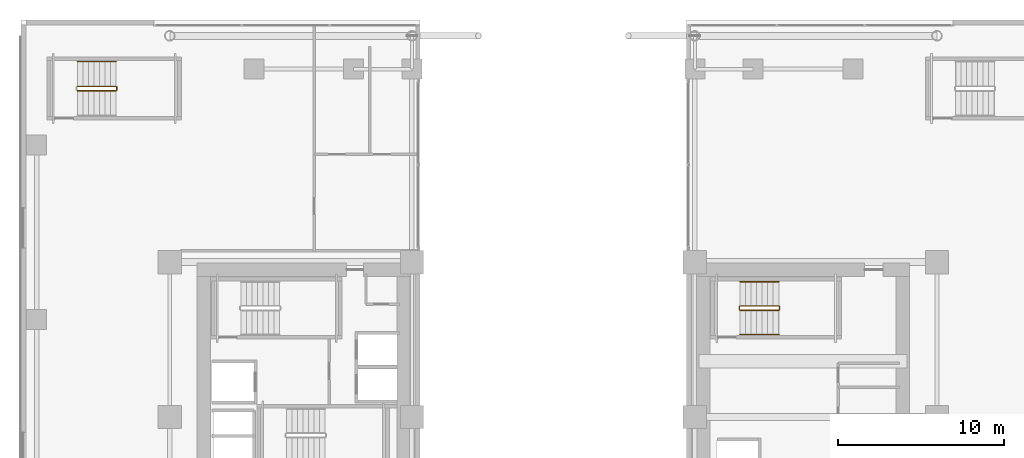
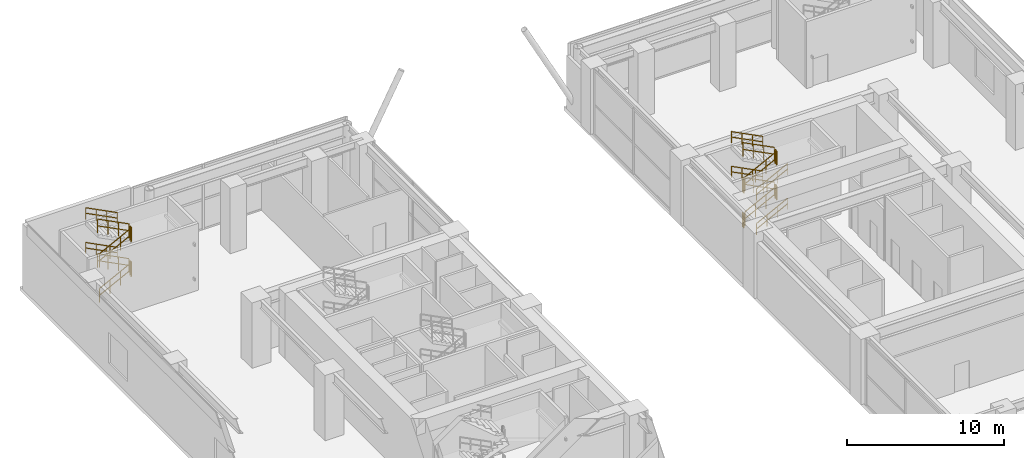
# One storey, part 27 of 29: 20 railings.
"""IFC4 building model written with IfcOpenShell, lengths in metres."""

from ifc_helpers import new_model, si_unit, direction, frame, origin, origin_2d, place, context, subcontext, project, spatial, rectangle, extrude, material, type_object, element, save


model = new_model("IFC4")

# Units and contexts
model_context = context("Model", 3, precision=1e-05, world=origin(), true_north=direction((0.0, 1.0)))
body_context = subcontext(model_context, "Body", "Model", "MODEL_VIEW")
ifc_project = project(units=[si_unit("LENGTHUNIT", "METRE"), si_unit("AREAUNIT", "SQUARE_METRE"), si_unit("VOLUMEUNIT", "CUBIC_METRE"), si_unit("PLANEANGLEUNIT", "RADIAN"), si_unit("MASSUNIT", "GRAM", prefix="KILO")], contexts=[model_context])

# Site, building, storey
site_placement = place(None, origin())
site = spatial("IfcSite", under=ifc_project, at=site_placement, CompositionType="ELEMENT")
building_placement = place(site_placement, origin())
building = spatial("IfcBuilding", under=site, at=building_placement, Name="Ocotamira Hotel", CompositionType="ELEMENT")
storey_placement = place(building_placement, frame((0.0, 0.0, 6.0)))
storey = spatial("IfcBuildingStorey", under=building, at=storey_placement, Name="L02", CompositionType="ELEMENT", Elevation=6.0)

# Railings
ifc_material_1 = material(Name="Brushed stainless steel handrail", Category="steel")
railing_type_1 = type_object("IfcRailingType", Name="RL-HAND-900", PredefinedType="HANDRAIL", material=ifc_material_1)
railing_1_placement = place(storey_placement, frame((43.22998046875, 33.10009765625, 0.33740234375)))
element("IfcRailing", 1, at=railing_1_placement, inside=storey, type_object=railing_type_1, Name="L02 ST-4 stair handrail 1", PredefinedType="HANDRAIL", context=body_context, shape_type="SweptSolid", body=[
    extrude(rectangle(XDim=0.048095703125, YDim=0.048095703125, at=origin_2d()), frame((0.0, 0.0, 0.8759765625), z_axis=(0.89032534587, 0.0, 0.45532491531), x_axis=(0.0, 1.0, 0.0)), (0.0, 0.0, 1.0), 2.5947265625),
    extrude(rectangle(XDim=0.048095703125, YDim=0.048095703125, at=origin_2d()), frame((0.0, 0.0, 0.449951171875), z_axis=(0.89032534587, 0.0, 0.45532491531), x_axis=(0.0, 1.0, 0.0)), (0.0, 0.0, 1.0), 2.5947265625),
    extrude(rectangle(XDim=0.0419921875, YDim=0.0419921875, at=origin_2d()), origin(), (0.0, 0.0, 1.0), 0.851806640625),
    extrude(rectangle(XDim=0.0419921875, YDim=0.0419921875, at=origin_2d()), frame((0.77001953125, 0.0, 0.393798828125)), (0.0, 0.0, 1.0), 0.851806640625),
    extrude(rectangle(XDim=0.0419921875, YDim=0.0419921875, at=origin_2d()), frame((1.5400390625, 0.0, 0.78759765625)), (0.0, 0.0, 1.0), 0.851806640625),
    extrude(rectangle(XDim=0.0419921875, YDim=0.0419921875, at=origin_2d()), frame((2.31005859375, 0.0, 1.181396484375)), (0.0, 0.0, 1.0), 0.851806640625),
])
railing_2_placement = place(storey_placement, frame((45.5400390625, 36.280029296875, 1.6875)))
element("IfcRailing", 2, at=railing_2_placement, inside=storey, type_object=railing_type_1, Name="L02 ST-4 stair handrail 2", PredefinedType="HANDRAIL", context=body_context, shape_type="SweptSolid", body=[
    extrude(rectangle(XDim=0.048095703125, YDim=0.048095703125, at=origin_2d()), frame((0.0, 0.0, 0.8759765625), z_axis=(-0.890363489232, 0.0, 0.455250323495), x_axis=(0.0, -1.0, 0.0)), (0.0, 0.0, 1.0), 2.594482421875),
    extrude(rectangle(XDim=0.048095703125, YDim=0.048095703125, at=origin_2d()), frame((0.0, 0.0, 0.449951171875), z_axis=(-0.890363489232, 0.0, 0.455250323495), x_axis=(0.0, -1.0, 0.0)), (0.0, 0.0, 1.0), 2.594482421875),
    extrude(rectangle(XDim=0.0419921875, YDim=0.0419921875, at=origin_2d()), origin(), (0.0, 0.0, 1.0), 0.851806640625),
    extrude(rectangle(XDim=0.0419921875, YDim=0.0419921875, at=origin_2d()), frame((-0.77001953125, 0.0, 0.393798828125)), (0.0, 0.0, 1.0), 0.851806640625),
    extrude(rectangle(XDim=0.0419921875, YDim=0.0419921875, at=origin_2d()), frame((-1.5400390625, 0.0, 0.787353515625)), (0.0, 0.0, 1.0), 0.851806640625),
    extrude(rectangle(XDim=0.0419921875, YDim=0.0419921875, at=origin_2d()), frame((-2.31005859375, 0.0, 1.18115234375)), (0.0, 0.0, 1.0), 0.851806640625),
])
railing_3_placement = place(storey_placement, frame((43.22998046875, 33.10009765625, 3.03759765625)))
element("IfcRailing", 3, at=railing_3_placement, inside=storey, type_object=railing_type_1, Name="L02 ST-4 stair handrail 3", PredefinedType="HANDRAIL", context=body_context, shape_type="SweptSolid", body=[
    extrude(rectangle(XDim=0.048095703125, YDim=0.048095703125, at=origin_2d()), frame((0.0, 0.0, 0.8759765625), z_axis=(0.890363489232, 0.0, 0.455250323495), x_axis=(0.0, 1.0, 0.0)), (0.0, 0.0, 1.0), 2.594482421875),
    extrude(rectangle(XDim=0.048095703125, YDim=0.048095703125, at=origin_2d()), frame((0.0, 0.0, 0.449951171875), z_axis=(0.890363489232, 0.0, 0.455250323495), x_axis=(0.0, 1.0, 0.0)), (0.0, 0.0, 1.0), 2.594482421875),
    extrude(rectangle(XDim=0.0419921875, YDim=0.0419921875, at=origin_2d()), origin(), (0.0, 0.0, 1.0), 0.851806640625),
    extrude(rectangle(XDim=0.0419921875, YDim=0.0419921875, at=origin_2d()), frame((0.77001953125, 0.0, 0.393798828125)), (0.0, 0.0, 1.0), 0.851806640625),
    extrude(rectangle(XDim=0.0419921875, YDim=0.0419921875, at=origin_2d()), frame((1.5400390625, 0.0, 0.787353515625)), (0.0, 0.0, 1.0), 0.851806640625),
    extrude(rectangle(XDim=0.0419921875, YDim=0.0419921875, at=origin_2d()), frame((2.31005859375, 0.0, 1.18115234375)), (0.0, 0.0, 1.0), 0.851806640625),
])
railing_4_placement = place(storey_placement, frame((45.5400390625, 36.280029296875, 4.387451171875)))
element("IfcRailing", 4, at=railing_4_placement, inside=storey, type_object=railing_type_1, Name="L02 ST-4 stair handrail 4", PredefinedType="HANDRAIL", context=body_context, shape_type="SweptSolid", body=[
    extrude(rectangle(XDim=0.048095703125, YDim=0.048095703125, at=origin_2d()), frame((0.0, 0.0, 0.8759765625), z_axis=(-0.89032534587, 0.0, 0.45532491531), x_axis=(0.0, -1.0, 0.0)), (0.0, 0.0, 1.0), 2.5947265625),
    extrude(rectangle(XDim=0.048095703125, YDim=0.048095703125, at=origin_2d()), frame((0.0, 0.0, 0.449951171875), z_axis=(-0.89032534587, 0.0, 0.45532491531), x_axis=(0.0, -1.0, 0.0)), (0.0, 0.0, 1.0), 2.5947265625),
    extrude(rectangle(XDim=0.0419921875, YDim=0.0419921875, at=origin_2d()), origin(), (0.0, 0.0, 1.0), 0.851806640625),
    extrude(rectangle(XDim=0.0419921875, YDim=0.0419921875, at=origin_2d()), frame((-0.77001953125, 0.0, 0.393798828125)), (0.0, 0.0, 1.0), 0.851806640625),
    extrude(rectangle(XDim=0.0419921875, YDim=0.0419921875, at=origin_2d()), frame((-1.5400390625, 0.0, 0.78759765625)), (0.0, 0.0, 1.0), 0.851806640625),
    extrude(rectangle(XDim=0.0419921875, YDim=0.0419921875, at=origin_2d()), frame((-2.31005859375, 0.0, 1.181396484375)), (0.0, 0.0, 1.0), 0.851806640625),
])
railing_5_placement = place(storey_placement, frame((5.7099609375, 49.510009765625, 1.6875)))
element("IfcRailing", 5, at=railing_5_placement, inside=storey, type_object=railing_type_1, Name="L02 ST-5 stair handrail 2", PredefinedType="HANDRAIL", context=body_context, shape_type="SweptSolid", body=[
    extrude(rectangle(XDim=0.048095703125, YDim=0.048095703125, at=origin_2d()), frame((0.0, 0.0, 0.8759765625), z_axis=(-0.890363489232, 0.0, 0.455250323495), x_axis=(0.0, -1.0, 0.0)), (0.0, 0.0, 1.0), 2.594482421875),
    extrude(rectangle(XDim=0.048095703125, YDim=0.048095703125, at=origin_2d()), frame((0.0, 0.0, 0.449951171875), z_axis=(-0.890363489232, 0.0, 0.455250323495), x_axis=(0.0, -1.0, 0.0)), (0.0, 0.0, 1.0), 2.594482421875),
    extrude(rectangle(XDim=0.0419921875, YDim=0.0419921875, at=origin_2d()), origin(), (0.0, 0.0, 1.0), 0.851806640625),
    extrude(rectangle(XDim=0.0419921875, YDim=0.0419921875, at=origin_2d()), frame((-0.77001953125, 0.0, 0.393798828125)), (0.0, 0.0, 1.0), 0.851806640625),
    extrude(rectangle(XDim=0.0419921875, YDim=0.0419921875, at=origin_2d()), frame((-1.5400390625, 0.0, 0.787353515625)), (0.0, 0.0, 1.0), 0.851806640625),
    extrude(rectangle(XDim=0.0419921875, YDim=0.0419921875, at=origin_2d()), frame((-2.31005859375, 0.0, 1.18115234375)), (0.0, 0.0, 1.0), 0.851806640625),
])
railing_6_placement = place(storey_placement, frame((5.7099609375, 49.510009765625, 4.387451171875)))
element("IfcRailing", 6, at=railing_6_placement, inside=storey, type_object=railing_type_1, Name="L02 ST-5 stair handrail 4", PredefinedType="HANDRAIL", context=body_context, shape_type="SweptSolid", body=[
    extrude(rectangle(XDim=0.048095703125, YDim=0.048095703125, at=origin_2d()), frame((0.0, 0.0, 0.8759765625), z_axis=(-0.89032534587, 0.0, 0.45532491531), x_axis=(0.0, -1.0, 0.0)), (0.0, 0.0, 1.0), 2.5947265625),
    extrude(rectangle(XDim=0.048095703125, YDim=0.048095703125, at=origin_2d()), frame((0.0, 0.0, 0.449951171875), z_axis=(-0.89032534587, 0.0, 0.45532491531), x_axis=(0.0, -1.0, 0.0)), (0.0, 0.0, 1.0), 2.5947265625),
    extrude(rectangle(XDim=0.0419921875, YDim=0.0419921875, at=origin_2d()), origin(), (0.0, 0.0, 1.0), 0.851806640625),
    extrude(rectangle(XDim=0.0419921875, YDim=0.0419921875, at=origin_2d()), frame((-0.77001953125, 0.0, 0.393798828125)), (0.0, 0.0, 1.0), 0.851806640625),
    extrude(rectangle(XDim=0.0419921875, YDim=0.0419921875, at=origin_2d()), frame((-1.5400390625, 0.0, 0.78759765625)), (0.0, 0.0, 1.0), 0.851806640625),
    extrude(rectangle(XDim=0.0419921875, YDim=0.0419921875, at=origin_2d()), frame((-2.31005859375, 0.0, 1.181396484375)), (0.0, 0.0, 1.0), 0.851806640625),
])
ifc_material_2 = material(Name="Painted steel stair guardrail", Category="steel")
railing_type_2 = type_object("IfcRailingType", Name="RL-STAIR-1100", PredefinedType="GUARDRAIL", material=ifc_material_2)
railing_7_placement = place(storey_placement, frame((43.22998046875, 34.56005859375, 0.168701171875)))
element("IfcRailing", 7, at=railing_7_placement, inside=storey, type_object=railing_type_2, Name="L02 ST-4 stair guard 1", PredefinedType="GUARDRAIL", context=body_context, shape_type="SweptSolid", body=[
    extrude(rectangle(XDim=0.048095703125, YDim=0.048095703125, at=origin_2d()), frame((0.0, 0.0, 1.076171875), z_axis=(0.89032534587, 0.0, 0.45532491531), x_axis=(0.0, 1.0, 0.0)), (0.0, 0.0, 1.0), 2.5947265625),
    extrude(rectangle(XDim=0.048095703125, YDim=0.048095703125, at=origin_2d()), frame((0.0, 0.0, 0.550048828125), z_axis=(0.89032534587, 0.0, 0.45532491531), x_axis=(0.0, 1.0, 0.0)), (0.0, 0.0, 1.0), 2.5947265625),
    extrude(rectangle(XDim=0.0419921875, YDim=0.0419921875, at=origin_2d()), origin(), (0.0, 0.0, 1.0), 1.052001953125),
    extrude(rectangle(XDim=0.0419921875, YDim=0.0419921875, at=origin_2d()), frame((0.77001953125, 0.0, 0.393798828125)), (0.0, 0.0, 1.0), 1.052001953125),
    extrude(rectangle(XDim=0.0419921875, YDim=0.0419921875, at=origin_2d()), frame((1.5400390625, 0.0, 0.78759765625)), (0.0, 0.0, 1.0), 1.052001953125),
    extrude(rectangle(XDim=0.0419921875, YDim=0.0419921875, at=origin_2d()), frame((2.31005859375, 0.0, 1.181396484375)), (0.0, 0.0, 1.0), 1.052001953125),
])
railing_8_placement = place(storey_placement, frame((45.590087890625, 34.610107421875, 1.35009765625)))
element("IfcRailing", 8, at=railing_8_placement, inside=storey, type_object=railing_type_2, Name="L02 ST-4 stair guard 2", PredefinedType="GUARDRAIL", context=body_context, shape_type="SweptSolid", body=[
    extrude(rectangle(XDim=0.048095703125, YDim=0.048095703125, at=origin_2d()), frame((0.0, 0.0, 1.076171875), z_axis=(0.0, 1.0, 0.0), x_axis=(-1.0, 0.0, 0.0)), (0.0, 0.0, 1.0), 0.159912109375),
    extrude(rectangle(XDim=0.048095703125, YDim=0.048095703125, at=origin_2d()), frame((0.0, 0.0, 0.550048828125), z_axis=(0.0, 1.0, 0.0), x_axis=(-1.0, 0.0, 0.0)), (0.0, 0.0, 1.0), 0.159912109375),
    extrude(rectangle(XDim=0.0419921875, YDim=0.0419921875, at=origin_2d()), origin(), (0.0, 0.0, 1.0), 1.052001953125),
    extrude(rectangle(XDim=0.0419921875, YDim=0.0419921875, at=origin_2d()), frame((0.0, 0.159912109375, 0.0)), (0.0, 0.0, 1.0), 1.052001953125),
])
railing_9_placement = place(storey_placement, frame((45.5400390625, 34.820068359375, 1.518798828125)))
element("IfcRailing", 9, at=railing_9_placement, inside=storey, type_object=railing_type_2, Name="L02 ST-4 stair guard 3", PredefinedType="GUARDRAIL", context=body_context, shape_type="SweptSolid", body=[
    extrude(rectangle(XDim=0.048095703125, YDim=0.048095703125, at=origin_2d()), frame((0.0, 0.0, 1.076171875), z_axis=(-0.890363489232, 0.0, 0.455250323495), x_axis=(0.0, -1.0, 0.0)), (0.0, 0.0, 1.0), 2.594482421875),
    extrude(rectangle(XDim=0.048095703125, YDim=0.048095703125, at=origin_2d()), frame((0.0, 0.0, 0.550048828125), z_axis=(-0.890363489232, 0.0, 0.455250323495), x_axis=(0.0, -1.0, 0.0)), (0.0, 0.0, 1.0), 2.594482421875),
    extrude(rectangle(XDim=0.0419921875, YDim=0.0419921875, at=origin_2d()), origin(), (0.0, 0.0, 1.0), 1.052001953125),
    extrude(rectangle(XDim=0.0419921875, YDim=0.0419921875, at=origin_2d()), frame((-0.77001953125, 0.0, 0.393798828125)), (0.0, 0.0, 1.0), 1.052001953125),
    extrude(rectangle(XDim=0.0419921875, YDim=0.0419921875, at=origin_2d()), frame((-1.5400390625, 0.0, 0.787353515625)), (0.0, 0.0, 1.0), 1.052001953125),
    extrude(rectangle(XDim=0.0419921875, YDim=0.0419921875, at=origin_2d()), frame((-2.31005859375, 0.0, 1.18115234375)), (0.0, 0.0, 1.0), 1.052001953125),
])
railing_10_placement = place(storey_placement, frame((43.179931640625, 34.610107421875, 2.699951171875)))
element("IfcRailing", 10, at=railing_10_placement, inside=storey, type_object=railing_type_2, Name="L02 ST-4 stair guard 4", PredefinedType="GUARDRAIL", context=body_context, shape_type="SweptSolid", body=[
    extrude(rectangle(XDim=0.048095703125, YDim=0.048095703125, at=origin_2d()), frame((0.0, 0.0, 1.076171875), z_axis=(0.0, 1.0, 0.0), x_axis=(-1.0, 0.0, 0.0)), (0.0, 0.0, 1.0), 0.159912109375),
    extrude(rectangle(XDim=0.048095703125, YDim=0.048095703125, at=origin_2d()), frame((0.0, 0.0, 0.550048828125), z_axis=(0.0, 1.0, 0.0), x_axis=(-1.0, 0.0, 0.0)), (0.0, 0.0, 1.0), 0.159912109375),
    extrude(rectangle(XDim=0.0419921875, YDim=0.0419921875, at=origin_2d()), origin(), (0.0, 0.0, 1.0), 1.052001953125),
    extrude(rectangle(XDim=0.0419921875, YDim=0.0419921875, at=origin_2d()), frame((0.0, 0.159912109375, 0.0)), (0.0, 0.0, 1.0), 1.052001953125),
])
railing_11_placement = place(storey_placement, frame((43.22998046875, 34.56005859375, 2.86865234375)))
element("IfcRailing", 11, at=railing_11_placement, inside=storey, type_object=railing_type_2, Name="L02 ST-4 stair guard 5", PredefinedType="GUARDRAIL", context=body_context, shape_type="SweptSolid", body=[
    extrude(rectangle(XDim=0.048095703125, YDim=0.048095703125, at=origin_2d()), frame((0.0, 0.0, 1.076171875), z_axis=(0.89032534587, 0.0, 0.45532491531), x_axis=(0.0, 1.0, 0.0)), (0.0, 0.0, 1.0), 2.5947265625),
    extrude(rectangle(XDim=0.048095703125, YDim=0.048095703125, at=origin_2d()), frame((0.0, 0.0, 0.550048828125), z_axis=(0.89032534587, 0.0, 0.45532491531), x_axis=(0.0, 1.0, 0.0)), (0.0, 0.0, 1.0), 2.5947265625),
    extrude(rectangle(XDim=0.0419921875, YDim=0.0419921875, at=origin_2d()), origin(), (0.0, 0.0, 1.0), 1.052001953125),
    extrude(rectangle(XDim=0.0419921875, YDim=0.0419921875, at=origin_2d()), frame((0.77001953125, 0.0, 0.393798828125)), (0.0, 0.0, 1.0), 1.052001953125),
    extrude(rectangle(XDim=0.0419921875, YDim=0.0419921875, at=origin_2d()), frame((1.5400390625, 0.0, 0.78759765625)), (0.0, 0.0, 1.0), 1.052001953125),
    extrude(rectangle(XDim=0.0419921875, YDim=0.0419921875, at=origin_2d()), frame((2.31005859375, 0.0, 1.181396484375)), (0.0, 0.0, 1.0), 1.052001953125),
])
railing_12_placement = place(storey_placement, frame((45.590087890625, 34.610107421875, 4.050048828125)))
element("IfcRailing", 12, at=railing_12_placement, inside=storey, type_object=railing_type_2, Name="L02 ST-4 stair guard 6", PredefinedType="GUARDRAIL", context=body_context, shape_type="SweptSolid", body=[
    extrude(rectangle(XDim=0.048095703125, YDim=0.048095703125, at=origin_2d()), frame((0.0, 0.0, 1.076171875), z_axis=(0.0, 1.0, 0.0), x_axis=(-1.0, 0.0, 0.0)), (0.0, 0.0, 1.0), 0.159912109375),
    extrude(rectangle(XDim=0.048095703125, YDim=0.048095703125, at=origin_2d()), frame((0.0, 0.0, 0.550048828125), z_axis=(0.0, 1.0, 0.0), x_axis=(-1.0, 0.0, 0.0)), (0.0, 0.0, 1.0), 0.159912109375),
    extrude(rectangle(XDim=0.0419921875, YDim=0.0419921875, at=origin_2d()), origin(), (0.0, 0.0, 1.0), 1.052001953125),
    extrude(rectangle(XDim=0.0419921875, YDim=0.0419921875, at=origin_2d()), frame((0.0, 0.159912109375, 0.0)), (0.0, 0.0, 1.0), 1.052001953125),
])
railing_13_placement = place(storey_placement, frame((45.5400390625, 34.820068359375, 4.21875)))
element("IfcRailing", 13, at=railing_13_placement, inside=storey, type_object=railing_type_2, Name="L02 ST-4 stair guard 7", PredefinedType="GUARDRAIL", context=body_context, shape_type="SweptSolid", body=[
    extrude(rectangle(XDim=0.048095703125, YDim=0.048095703125, at=origin_2d()), frame((0.0, 0.0, 1.076171875), z_axis=(-0.890363489232, 0.0, 0.455250323495), x_axis=(0.0, -1.0, 0.0)), (0.0, 0.0, 1.0), 2.594482421875),
    extrude(rectangle(XDim=0.048095703125, YDim=0.048095703125, at=origin_2d()), frame((0.0, 0.0, 0.550048828125), z_axis=(-0.890363489232, 0.0, 0.455250323495), x_axis=(0.0, -1.0, 0.0)), (0.0, 0.0, 1.0), 2.594482421875),
    extrude(rectangle(XDim=0.0419921875, YDim=0.0419921875, at=origin_2d()), origin(), (0.0, 0.0, 1.0), 1.052001953125),
    extrude(rectangle(XDim=0.0419921875, YDim=0.0419921875, at=origin_2d()), frame((-0.77001953125, 0.0, 0.393798828125)), (0.0, 0.0, 1.0), 1.052001953125),
    extrude(rectangle(XDim=0.0419921875, YDim=0.0419921875, at=origin_2d()), frame((-1.5400390625, 0.0, 0.787353515625)), (0.0, 0.0, 1.0), 1.052001953125),
    extrude(rectangle(XDim=0.0419921875, YDim=0.0419921875, at=origin_2d()), frame((-2.31005859375, 0.0, 1.18115234375)), (0.0, 0.0, 1.0), 1.052001953125),
])
railing_14_placement = place(storey_placement, frame((43.179931640625, 34.610107421875, 0.0)))
element("IfcRailing", 14, at=railing_14_placement, inside=storey, type_object=railing_type_2, Name="L02 ST-4 stair guard 8", PredefinedType="GUARDRAIL", context=body_context, shape_type="SweptSolid", body=[
    extrude(rectangle(XDim=0.048095703125, YDim=0.048095703125, at=origin_2d()), frame((0.0, 0.0, 1.076171875), z_axis=(0.0, 1.0, 0.0), x_axis=(-1.0, 0.0, 0.0)), (0.0, 0.0, 1.0), 0.159912109375),
    extrude(rectangle(XDim=0.048095703125, YDim=0.048095703125, at=origin_2d()), frame((0.0, 0.0, 0.550048828125), z_axis=(0.0, 1.0, 0.0), x_axis=(-1.0, 0.0, 0.0)), (0.0, 0.0, 1.0), 0.159912109375),
    extrude(rectangle(XDim=0.0419921875, YDim=0.0419921875, at=origin_2d()), origin(), (0.0, 0.0, 1.0), 1.052001953125),
    extrude(rectangle(XDim=0.0419921875, YDim=0.0419921875, at=origin_2d()), frame((0.0, 0.159912109375, 0.0)), (0.0, 0.0, 1.0), 1.052001953125),
])
railing_15_placement = place(storey_placement, frame((3.39990234375, 47.75, 0.168701171875)))
element("IfcRailing", 15, at=railing_15_placement, inside=storey, type_object=railing_type_2, Name="L02 ST-5 stair guard 1", PredefinedType="GUARDRAIL", context=body_context, shape_type="SweptSolid", body=[
    extrude(rectangle(XDim=0.048095703125, YDim=0.048095703125, at=origin_2d()), frame((0.0, 0.0, 1.076171875), z_axis=(0.89032534587, 0.0, 0.45532491531), x_axis=(0.0, 1.0, 0.0)), (0.0, 0.0, 1.0), 2.5947265625),
    extrude(rectangle(XDim=0.048095703125, YDim=0.048095703125, at=origin_2d()), frame((0.0, 0.0, 0.550048828125), z_axis=(0.89032534587, 0.0, 0.45532491531), x_axis=(0.0, 1.0, 0.0)), (0.0, 0.0, 1.0), 2.5947265625),
    extrude(rectangle(XDim=0.0419921875, YDim=0.0419921875, at=origin_2d()), origin(), (0.0, 0.0, 1.0), 1.052001953125),
    extrude(rectangle(XDim=0.0419921875, YDim=0.0419921875, at=origin_2d()), frame((0.77001953125, 0.0, 0.393798828125)), (0.0, 0.0, 1.0), 1.052001953125),
    extrude(rectangle(XDim=0.0419921875, YDim=0.0419921875, at=origin_2d()), frame((1.5400390625, 0.0, 0.78759765625)), (0.0, 0.0, 1.0), 1.052001953125),
    extrude(rectangle(XDim=0.0419921875, YDim=0.0419921875, at=origin_2d()), frame((2.31005859375, 0.0, 1.181396484375)), (0.0, 0.0, 1.0), 1.052001953125),
])
railing_16_placement = place(storey_placement, frame((5.760009765625, 47.800048828125, 1.35009765625)))
element("IfcRailing", 16, at=railing_16_placement, inside=storey, type_object=railing_type_2, Name="L02 ST-5 stair guard 2", PredefinedType="GUARDRAIL", context=body_context, shape_type="SweptSolid", body=[
    extrude(rectangle(XDim=0.048095703125, YDim=0.048095703125, at=origin_2d()), frame((0.0, 0.0, 1.076171875), z_axis=(0.0, 1.0, 0.0), x_axis=(-1.0, 0.0, 0.0)), (0.0, 0.0, 1.0), 0.159912109375),
    extrude(rectangle(XDim=0.048095703125, YDim=0.048095703125, at=origin_2d()), frame((0.0, 0.0, 0.550048828125), z_axis=(0.0, 1.0, 0.0), x_axis=(-1.0, 0.0, 0.0)), (0.0, 0.0, 1.0), 0.159912109375),
    extrude(rectangle(XDim=0.0419921875, YDim=0.0419921875, at=origin_2d()), origin(), (0.0, 0.0, 1.0), 1.052001953125),
    extrude(rectangle(XDim=0.0419921875, YDim=0.0419921875, at=origin_2d()), frame((0.0, 0.159912109375, 0.0)), (0.0, 0.0, 1.0), 1.052001953125),
])
railing_17_placement = place(storey_placement, frame((5.7099609375, 48.010009765625, 1.518798828125)))
element("IfcRailing", 17, at=railing_17_placement, inside=storey, type_object=railing_type_2, Name="L02 ST-5 stair guard 3", PredefinedType="GUARDRAIL", context=body_context, shape_type="SweptSolid", body=[
    extrude(rectangle(XDim=0.048095703125, YDim=0.048095703125, at=origin_2d()), frame((0.0, 0.0, 1.076171875), z_axis=(-0.890363489232, 0.0, 0.455250323495), x_axis=(0.0, -1.0, 0.0)), (0.0, 0.0, 1.0), 2.594482421875),
    extrude(rectangle(XDim=0.048095703125, YDim=0.048095703125, at=origin_2d()), frame((0.0, 0.0, 0.550048828125), z_axis=(-0.890363489232, 0.0, 0.455250323495), x_axis=(0.0, -1.0, 0.0)), (0.0, 0.0, 1.0), 2.594482421875),
    extrude(rectangle(XDim=0.0419921875, YDim=0.0419921875, at=origin_2d()), origin(), (0.0, 0.0, 1.0), 1.052001953125),
    extrude(rectangle(XDim=0.0419921875, YDim=0.0419921875, at=origin_2d()), frame((-0.77001953125, 0.0, 0.393798828125)), (0.0, 0.0, 1.0), 1.052001953125),
    extrude(rectangle(XDim=0.0419921875, YDim=0.0419921875, at=origin_2d()), frame((-1.5400390625, 0.0, 0.787353515625)), (0.0, 0.0, 1.0), 1.052001953125),
    extrude(rectangle(XDim=0.0419921875, YDim=0.0419921875, at=origin_2d()), frame((-2.31005859375, 0.0, 1.18115234375)), (0.0, 0.0, 1.0), 1.052001953125),
])
railing_18_placement = place(storey_placement, frame((3.39990234375, 47.75, 2.86865234375)))
element("IfcRailing", 18, at=railing_18_placement, inside=storey, type_object=railing_type_2, Name="L02 ST-5 stair guard 5", PredefinedType="GUARDRAIL", context=body_context, shape_type="SweptSolid", body=[
    extrude(rectangle(XDim=0.048095703125, YDim=0.048095703125, at=origin_2d()), frame((0.0, 0.0, 1.076171875), z_axis=(0.89032534587, 0.0, 0.45532491531), x_axis=(0.0, 1.0, 0.0)), (0.0, 0.0, 1.0), 2.5947265625),
    extrude(rectangle(XDim=0.048095703125, YDim=0.048095703125, at=origin_2d()), frame((0.0, 0.0, 0.550048828125), z_axis=(0.89032534587, 0.0, 0.45532491531), x_axis=(0.0, 1.0, 0.0)), (0.0, 0.0, 1.0), 2.5947265625),
    extrude(rectangle(XDim=0.0419921875, YDim=0.0419921875, at=origin_2d()), origin(), (0.0, 0.0, 1.0), 1.052001953125),
    extrude(rectangle(XDim=0.0419921875, YDim=0.0419921875, at=origin_2d()), frame((0.77001953125, 0.0, 0.393798828125)), (0.0, 0.0, 1.0), 1.052001953125),
    extrude(rectangle(XDim=0.0419921875, YDim=0.0419921875, at=origin_2d()), frame((1.5400390625, 0.0, 0.78759765625)), (0.0, 0.0, 1.0), 1.052001953125),
    extrude(rectangle(XDim=0.0419921875, YDim=0.0419921875, at=origin_2d()), frame((2.31005859375, 0.0, 1.181396484375)), (0.0, 0.0, 1.0), 1.052001953125),
])
railing_19_placement = place(storey_placement, frame((5.760009765625, 47.800048828125, 4.050048828125)))
element("IfcRailing", 19, at=railing_19_placement, inside=storey, type_object=railing_type_2, Name="L02 ST-5 stair guard 6", PredefinedType="GUARDRAIL", context=body_context, shape_type="SweptSolid", body=[
    extrude(rectangle(XDim=0.048095703125, YDim=0.048095703125, at=origin_2d()), frame((0.0, 0.0, 1.076171875), z_axis=(0.0, 1.0, 0.0), x_axis=(-1.0, 0.0, 0.0)), (0.0, 0.0, 1.0), 0.159912109375),
    extrude(rectangle(XDim=0.048095703125, YDim=0.048095703125, at=origin_2d()), frame((0.0, 0.0, 0.550048828125), z_axis=(0.0, 1.0, 0.0), x_axis=(-1.0, 0.0, 0.0)), (0.0, 0.0, 1.0), 0.159912109375),
    extrude(rectangle(XDim=0.0419921875, YDim=0.0419921875, at=origin_2d()), origin(), (0.0, 0.0, 1.0), 1.052001953125),
    extrude(rectangle(XDim=0.0419921875, YDim=0.0419921875, at=origin_2d()), frame((0.0, 0.159912109375, 0.0)), (0.0, 0.0, 1.0), 1.052001953125),
])
railing_20_placement = place(storey_placement, frame((5.7099609375, 48.010009765625, 4.21875)))
element("IfcRailing", 20, at=railing_20_placement, inside=storey, type_object=railing_type_2, Name="L02 ST-5 stair guard 7", PredefinedType="GUARDRAIL", context=body_context, shape_type="SweptSolid", body=[
    extrude(rectangle(XDim=0.048095703125, YDim=0.048095703125, at=origin_2d()), frame((0.0, 0.0, 1.076171875), z_axis=(-0.890363489232, 0.0, 0.455250323495), x_axis=(0.0, -1.0, 0.0)), (0.0, 0.0, 1.0), 2.594482421875),
    extrude(rectangle(XDim=0.048095703125, YDim=0.048095703125, at=origin_2d()), frame((0.0, 0.0, 0.550048828125), z_axis=(-0.890363489232, 0.0, 0.455250323495), x_axis=(0.0, -1.0, 0.0)), (0.0, 0.0, 1.0), 2.594482421875),
    extrude(rectangle(XDim=0.0419921875, YDim=0.0419921875, at=origin_2d()), origin(), (0.0, 0.0, 1.0), 1.052001953125),
    extrude(rectangle(XDim=0.0419921875, YDim=0.0419921875, at=origin_2d()), frame((-0.77001953125, 0.0, 0.393798828125)), (0.0, 0.0, 1.0), 1.052001953125),
    extrude(rectangle(XDim=0.0419921875, YDim=0.0419921875, at=origin_2d()), frame((-1.5400390625, 0.0, 0.787353515625)), (0.0, 0.0, 1.0), 1.052001953125),
    extrude(rectangle(XDim=0.0419921875, YDim=0.0419921875, at=origin_2d()), frame((-2.31005859375, 0.0, 1.18115234375)), (0.0, 0.0, 1.0), 1.052001953125),
])

save(model, "model.ifc")
